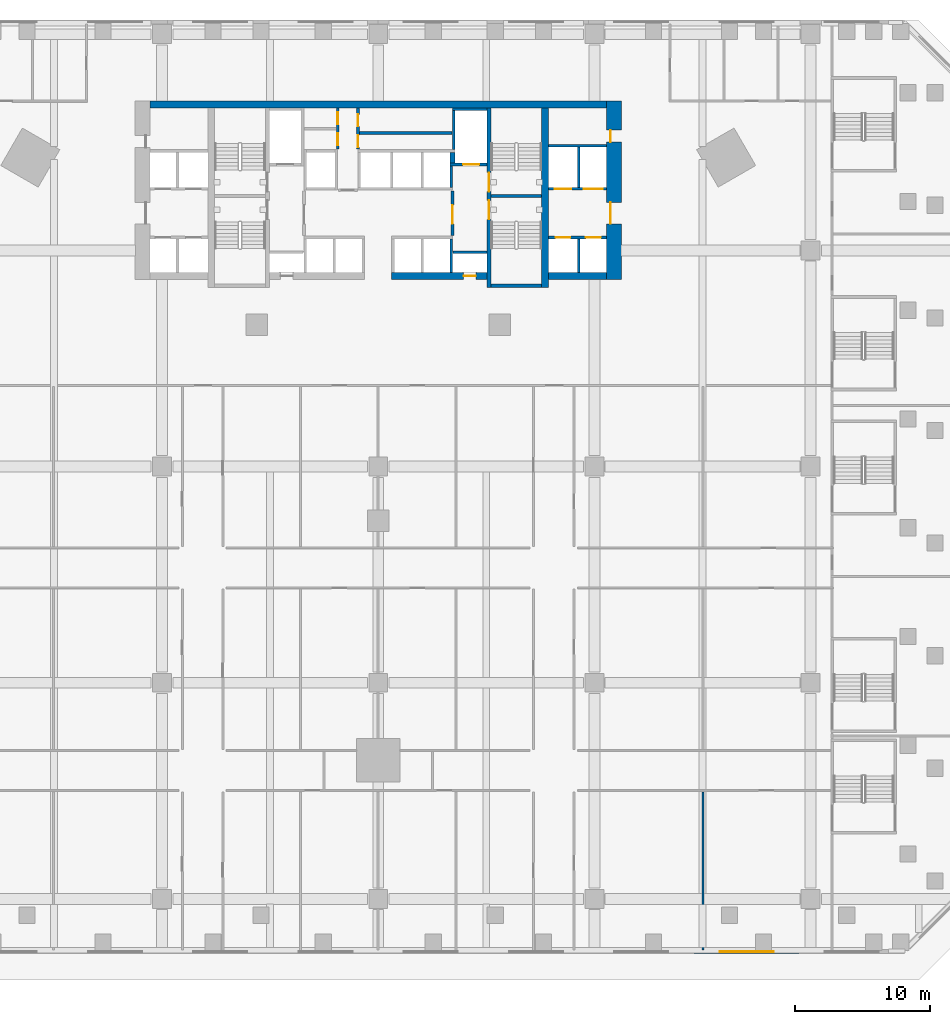
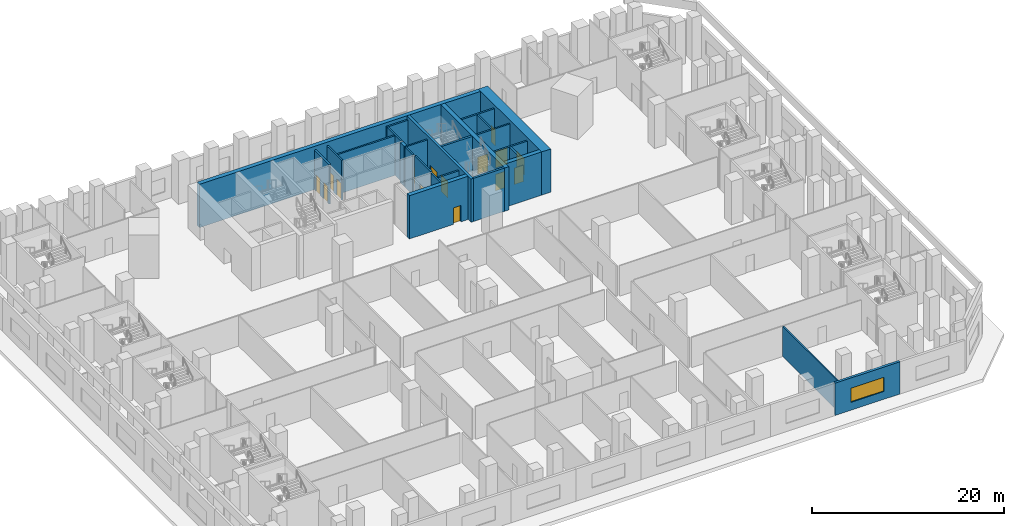
# One storey, part 8 of 22: 26 walls, 15 doors, 1 window, 16 openings.
"""IFC4 building model written with IfcOpenShell, lengths in metres."""

import ifcopenshell
import ifcopenshell.guid

model = None  # the IFC model being written
_history = None  # IfcOwnerHistory: only IFC2X3 demands one
_inside = {}  # id of a spatial element -> (the spatial element, [elements in it])
_under = {}  # id of a project, library or spatial element -> (it, [spatial elements below it])
_declared = {}  # id of a project -> (the project, [libraries it declares])
_typed = {}  # id of a type object -> (the type object, [elements of that type])
_made_of = {}  # id of a material, layer set ... -> (it, [elements and type objects made of it])


def new_model(schema):
    """Start an empty IFC model of exactly this schema.

    Asked for "IFC4X3", IfcOpenShell would pick the latest addendum, in which some entities
    have other attributes; the version numbers below select the first issue.
    IFC2X3 requires an IfcOwnerHistory on every rooted entity: one is made here for all.
    """
    global model, _history
    if schema == "IFC4X3":
        model = ifcopenshell.file(schema_version=(4, 3, 0, 0))
    else:
        model = ifcopenshell.file(schema=schema)
    _inside.clear()
    _under.clear()
    _declared.clear()
    _typed.clear()
    _made_of.clear()
    _history = None
    if model.schema == "IFC2X3":
        org = make("IfcOrganization", Name="unknown")
        user = make(
            "IfcPersonAndOrganization",
            ThePerson=make("IfcPerson", FamilyName="unknown"),
            TheOrganization=org,
        )
        app = make(
            "IfcApplication",
            ApplicationDeveloper=org,
            Version="unknown",
            ApplicationFullName="unknown",
            ApplicationIdentifier="unknown",
        )
        _history = make(
            "IfcOwnerHistory",
            OwningUser=user,
            OwningApplication=app,
            ChangeAction="ADDED",
            CreationDate=0,
        )
    return model


def make(cls, **values):
    """One entity of the class cls with the attributes given. An attribute that is None is left unset."""
    return model.create_entity(
        cls, **{name: value for name, value in values.items() if value is not None}
    )


def rooted(cls, **values):
    """An entity with a GlobalId (a new one), such as an element, a storey or a relation."""
    return make(cls, GlobalId=ifcopenshell.guid.new(), OwnerHistory=_history, **values)


def si_unit(unit_type, name, prefix=None):
    """IfcSIUnit, for example si_unit("LENGTHUNIT", "METRE", prefix="MILLI")."""
    return make("IfcSIUnit", UnitType=unit_type, Prefix=prefix, Name=name)


def assignment(units):
    """IfcUnitAssignment: the units of a project."""
    return None if units is None else make("IfcUnitAssignment", Units=units)


def point(xyz):
    """IfcCartesianPoint."""
    return None if xyz is None else make("IfcCartesianPoint", Coordinates=xyz)


def direction(xyz):
    """IfcDirection."""
    return None if xyz is None else make("IfcDirection", DirectionRatios=xyz)


def frame(location, z_axis=None, x_axis=None):
    """IfcAxis2Placement3D, a coordinate frame: its origin and axes. An axis left out is left unset."""
    return make(
        "IfcAxis2Placement3D",
        Location=point(location),
        Axis=direction(z_axis),
        RefDirection=direction(x_axis),
    )


def frame_2d(location, x_axis=None):
    """IfcAxis2Placement2D, a coordinate frame in the plane: its origin and x axis."""
    return make(
        "IfcAxis2Placement2D", Location=point(location), RefDirection=direction(x_axis)
    )


def origin():
    """The frame at (0, 0, 0) with its axes left unset."""
    return frame((0.0, 0.0, 0.0))


def place(relative_to, where):
    """IfcLocalPlacement: puts the frame where relative to a parent placement (None: the world)."""
    return make(
        "IfcLocalPlacement", PlacementRelTo=relative_to, RelativePlacement=where
    )


def context(
    kind, dimensions, precision=None, world=None, true_north=None, identifier=None
):
    """IfcGeometricRepresentationContext, for example the 3D "Model" context."""
    return make(
        "IfcGeometricRepresentationContext",
        ContextIdentifier=identifier,
        ContextType=kind,
        CoordinateSpaceDimension=dimensions,
        Precision=precision,
        WorldCoordinateSystem=world,
        TrueNorth=true_north,
    )


def subcontext(parent, identifier, kind, view, scale=None):
    """IfcGeometricRepresentationSubContext, for example "Body" below "Model"."""
    return make(
        "IfcGeometricRepresentationSubContext",
        ContextIdentifier=identifier,
        ContextType=kind,
        ParentContext=parent,
        TargetScale=scale,
        TargetView=view,
    )


def project(units=None, contexts=None):
    """IfcProject with its units and contexts."""
    return rooted(
        "IfcProject",
        Name="project",
        RepresentationContexts=contexts,
        UnitsInContext=assignment(units),
    )


def spatial(cls, under=None, at=None, **own):
    """A site, building, storey or space (cls), placed at a placement, below another one or the project."""
    s = rooted(cls, ObjectPlacement=at, **own)
    if under is not None:
        _under.setdefault(under.id(), (under, []))[1].append(s)
    return s


def profile(cls, at=None, kind="AREA", **sizes):
    """A parametric profile (cls). Its sizes go by their IFC names, for example OverallWidth=200.0."""
    return make(cls, ProfileType=kind, Position=at, **sizes)


def rectangle(**sizes):
    """IfcRectangleProfileDef."""
    return profile("IfcRectangleProfileDef", **sizes)


def extrude(swept, where, along, depth):
    """IfcExtrudedAreaSolid: the profile swept, set in the frame where, extruded along a direction by depth."""
    return make(
        "IfcExtrudedAreaSolid",
        SweptArea=swept,
        Position=where,
        ExtrudedDirection=direction(along),
        Depth=depth,
    )


def shape(context_of_items, identifier, shape_type, items):
    """IfcShapeRepresentation: the items that make up one representation, for example the "Body"."""
    return make(
        "IfcShapeRepresentation",
        ContextOfItems=context_of_items,
        RepresentationIdentifier=identifier,
        RepresentationType=shape_type,
        Items=items,
    )


def material(Name=None, Category=None):
    """IfcMaterial."""
    return make("IfcMaterial", Name=Name, Category=Category)


def layer(
    of_material, thickness, ventilated=None, Name=None, Category=None, Priority=None
):
    """IfcMaterialLayer: one layer of a wall or slab, of a material (None: an air gap)."""
    return make(
        "IfcMaterialLayer",
        Material=of_material,
        LayerThickness=thickness,
        IsVentilated=ventilated,
        Name=Name,
        Category=Category,
        Priority=Priority,
    )


def layer_set(layers, Name=None):
    """IfcMaterialLayerSet."""
    return make("IfcMaterialLayerSet", MaterialLayers=layers, LayerSetName=Name)


def made_of(thing, what):
    """Note that an element or type object is made of a material, layer set ...; save() writes the relation."""
    if what is not None:
        _made_of.setdefault(what.id(), (what, []))[1].append(thing)
    return thing


def type_object(cls, material=None, **own):
    """A type object (cls), such as IfcWallType, which elements share."""
    return made_of(rooted(cls, **own), material)


def element(
    cls,
    number,
    at=None,
    inside=None,
    cuts=None,
    type_object=None,
    material=None,
    context=None,
    identifier="Body",
    shape_type=None,
    held_by="IfcProductDefinitionShape",
    body=None,
    shapes=None,
    **own,
):
    """One element of the class cls, such as IfcWall. Its Tag is "e" and its number.

    at: its placement. inside: the storey or other place that contains it. cuts: it is an
    opening in that element (IfcRelVoidsElement). A single representation is given by context,
    identifier, shape_type and body (its items); several are given by shapes. held_by: the class
    of the entity that holds the representations. save() writes the other relations.
    """
    e = rooted(cls, Tag="e%d" % number, ObjectPlacement=at, **own)
    if body is not None:
        shapes = [shape(context, identifier, shape_type, body)]
    if shapes is not None:
        e.Representation = make(held_by, Representations=shapes)
    if inside is not None:
        _inside.setdefault(inside.id(), (inside, []))[1].append(e)
    if cuts is not None:
        rooted(
            "IfcRelVoidsElement", RelatingBuildingElement=cuts, RelatedOpeningElement=e
        )
    if type_object is not None:
        _typed.setdefault(type_object.id(), (type_object, []))[1].append(e)
    return made_of(e, material)


def fill(opening, filler):
    """IfcRelFillsElement: the door or window that sits in an opening."""
    return rooted(
        "IfcRelFillsElement",
        RelatingOpeningElement=opening,
        RelatedBuildingElement=filler,
    )


def aggregate(whole, parts):
    """IfcRelAggregates: a whole, such as a stair, and the parts it consists of."""
    return rooted("IfcRelAggregates", RelatingObject=whole, RelatedObjects=parts)


def save(model, path):
    """Write the relations noted so far, then the file.

    IfcRelAggregates (storeys below a building ...), IfcRelContainedInSpatialStructure (elements
    in a storey), IfcRelDefinesByType, IfcRelAssociatesMaterial and IfcRelDeclares: one each for
    every whole, place, type object, material and project.
    """
    for whole, parts in _under.values():
        aggregate(whole, parts)
    for where, things in _inside.values():
        rooted(
            "IfcRelContainedInSpatialStructure",
            RelatedElements=things,
            RelatingStructure=where,
        )
    for kind, things in _typed.values():
        rooted("IfcRelDefinesByType", RelatedObjects=things, RelatingType=kind)
    for what, things in _made_of.values():
        rooted("IfcRelAssociatesMaterial", RelatedObjects=things, RelatingMaterial=what)
    for by, libraries in _declared.values():
        rooted("IfcRelDeclares", RelatingContext=by, RelatedDefinitions=libraries)
    model.write(path)


model = new_model("IFC4")

# Units and contexts
model_context = context("Model", 3, precision=1e-05, world=origin(), true_north=direction((0.0, 1.0)))
body_context = subcontext(model_context, "Body", "Model", "MODEL_VIEW")
ifc_project = project(units=[si_unit("LENGTHUNIT", "METRE"), si_unit("AREAUNIT", "SQUARE_METRE"), si_unit("VOLUMEUNIT", "CUBIC_METRE"), si_unit("PLANEANGLEUNIT", "RADIAN"), si_unit("MASSUNIT", "GRAM", prefix="KILO")], contexts=[model_context])

# Site, building, storey
site_placement = place(None, origin())
site = spatial("IfcSite", under=ifc_project, at=site_placement, CompositionType="ELEMENT")
building_placement = place(site_placement, origin())
building = spatial("IfcBuilding", under=site, at=building_placement, Name="Calabash Gate Tower", CompositionType="ELEMENT")
storey_placement = place(building_placement, frame((0.0, 0.0, 29.0)))
storey = spatial("IfcBuildingStorey", under=building, at=storey_placement, Name="L03", CompositionType="ELEMENT", Elevation=29.0)

# Wall, openings, doors
ifc_material_1 = material(Name="Concrete C80/95", Category="concrete")
ifc_layer_1 = layer(ifc_material_1, 1.10009765625)
ifc_layer_set_1 = layer_set([ifc_layer_1], Name="Core wall 1100 Concrete C80/95")
wall_type_1 = type_object("IfcWallType", Name="Core wall 1100 Concrete C80/95", PredefinedType="SHEAR", material=ifc_layer_set_1)
wall_1_placement = place(storey_placement, frame((17.449951171875, 5.8525390625, 0.0), z_axis=(0.0, 0.0, 1.0), x_axis=(0.0, 1.0, 0.0)))
wall_1 = element("IfcWall", 1, at=wall_1_placement, inside=storey, type_object=wall_type_1, Name="Core wall Z0-ENDE L03", PredefinedType="SHEAR", context=body_context, shape_type="SweptSolid", body=[
    extrude(rectangle(XDim=13.199951171875, YDim=1.10009765625, at=frame_2d((6.60009765625, 0.0))), origin(), (0.0, 0.0, 1.0), 5.5),
])
opening_1_placement = place(wall_1_placement, frame((4.10009765625, 0.0, 0.0)))
opening_1 = element("IfcOpeningElement", 2, at=opening_1_placement, cuts=wall_1, Name="Opening L03-016", PredefinedType="OPENING", context=body_context, shape_type="SweptSolid", body=[
    extrude(rectangle(XDim=1.60009765625, YDim=2.10009765625, at=frame_2d((0.800048828125, 1.050048828125))), frame((0.0, 0.56005859375, 0.0), z_axis=(0.0, -1.0, 0.0), x_axis=(1.0, 0.0, 0.0)), (0.0, 0.0, 1.0), 1.1201171875),
])
opening_2_placement = place(wall_1_placement, frame((10.14990234375, 0.0, 0.0)))
opening_2 = element("IfcOpeningElement", 3, at=opening_2_placement, cuts=wall_1, Name="Opening L03-017", PredefinedType="OPENING", context=body_context, shape_type="SweptSolid", body=[
    extrude(rectangle(XDim=0.89990234375, YDim=2.10009765625, at=frame_2d((0.449951171875, 1.050048828125))), frame((0.0, 0.56005859375, 0.0), z_axis=(0.0, -1.0, 0.0), x_axis=(1.0, 0.0, 0.0)), (0.0, 0.0, 1.0), 1.1201171875),
])
ifc_material_2 = material(Name="Steel fire door set with fire-resisting glazing", Category="steel")
door_type_1 = type_object("IfcDoorType", Name="Double fire door D08 1600x2100 FD60", OperationType="DOUBLE_DOOR_SINGLE_SWING", PredefinedType="DOOR", material=ifc_material_2)
door_1_placement = place(opening_1_placement, origin())
door_1 = element("IfcDoor", 4, at=door_1_placement, inside=storey, type_object=door_type_1, Name="Low-rise Lift Lobby E door", OperationType="DOUBLE_DOOR_SINGLE_SWING", OverallHeight=2.10009765625, OverallWidth=1.60009765625, PredefinedType="DOOR", context=body_context, shape_type="SweptSolid", body=[
    extrude(rectangle(XDim=1.60009765625, YDim=2.10009765625, at=frame_2d((0.800048828125, 1.050048828125))), frame((0.0, 0.27490234375, 0.0), z_axis=(0.0, -1.0, 0.0), x_axis=(1.0, 0.0, 0.0)), (0.0, 0.0, 1.0), 0.050048828125),
])
fill(opening_1, door_1)
ifc_material_3 = material(Name="Steel fire door set with fire-resisting glazing", Category="steel")
door_type_2 = type_object("IfcDoorType", Name="Fire door D06 900x2100 FD60", OperationType="NOTDEFINED", PredefinedType="DOOR", material=ifc_material_3)
door_2_placement = place(opening_2_placement, origin())
door_2 = element("IfcDoor", 5, at=door_2_placement, inside=storey, type_object=door_type_2, Name="Staff WC door", OperationType="SINGLE_SWING_LEFT", OverallHeight=2.10009765625, OverallWidth=0.89990234375, PredefinedType="DOOR", context=body_context, shape_type="SweptSolid", body=[
    extrude(rectangle(XDim=0.89990234375, YDim=2.10009765625, at=frame_2d((0.449951171875, 1.050048828125))), frame((0.0, 0.27490234375, 0.0), z_axis=(0.0, -1.0, 0.0), x_axis=(1.0, 0.0, 0.0)), (0.0, 0.0, 1.0), 0.050048828125),
])
fill(opening_2, door_2)

# Walls
ifc_material_4 = material(Name="Concrete C80/95", Category="concrete")
ifc_layer_2 = layer(ifc_material_4, 0.25)
ifc_layer_set_2 = layer_set([ifc_layer_2], Name="Core wall 250 Concrete C80/95")
wall_type_2 = type_object("IfcWallType", Name="Core wall 250 Concrete C80/95", PredefinedType="SHEAR", material=ifc_layer_set_2)
for number, where, z_axis, x_axis, name in (
    (6, (8.35009765625, 12.027587890625, 0.0), (0.0, 0.0, 1.0), (1.0, 0.0, 0.0), "Core wall Z0-MIDE L03"),
    (7, (8.35009765625, 5.377685546875, 0.0), (0.0, 0.0, 1.0), (1.0, 0.0, 0.0), "Core wall Z0-SSE L03"),
):
    element("IfcWall", number, at=place(storey_placement, frame(where, z_axis=z_axis, x_axis=x_axis)), inside=storey, type_object=wall_type_2, Name=name, PredefinedType="SHEAR", context=body_context, shape_type="SweptSolid", body=[
        extrude(rectangle(XDim=3.75, YDim=0.25, at=frame_2d((1.875, 0.0))), origin(), (0.0, 0.0, 1.0), 5.5),
    ])

# Wall, openings, doors
ifc_material_5 = material(Name="Concrete C80/95", Category="concrete")
ifc_layer_3 = layer(ifc_material_5, 0.300048828125)
ifc_layer_set_3 = layer_set([ifc_layer_3], Name="Core wall 300 Concrete C80/95")
wall_type_3 = type_object("IfcWallType", Name="Core wall 300 Concrete C80/95", PredefinedType="SHEAR", material=ifc_layer_set_3)
wall_2_placement = place(storey_placement, frame((8.199951171875, 5.252685546875, 0.0), z_axis=(0.0, 0.0, 1.0), x_axis=(0.0, 1.0, 0.0)))
wall_2 = element("IfcWall", 8, at=wall_2_placement, inside=storey, type_object=wall_type_3, Name="Core wall Z0-PARTE L03", PredefinedType="SHEAR", context=body_context, shape_type="SweptSolid", body=[
    extrude(rectangle(XDim=13.2998046875, YDim=0.300048828125, at=frame_2d((6.64990234375, 0.0))), origin(), (0.0, 0.0, 1.0), 5.5),
])
opening_3_placement = place(wall_2_placement, frame((7.10009765625, 0.0, 0.0)))
opening_3 = element("IfcOpeningElement", 9, at=opening_3_placement, cuts=wall_2, Name="Opening L03-003", PredefinedType="OPENING", context=body_context, shape_type="SweptSolid", body=[
    extrude(rectangle(XDim=1.39990234375, YDim=2.10009765625, at=frame_2d((0.699951171875, 1.050048828125))), frame((0.0, 0.159912109375, 0.0), z_axis=(0.0, -1.0, 0.0), x_axis=(1.0, 0.0, 0.0)), (0.0, 0.0, 1.0), 0.320068359375),
])
opening_4_placement = place(wall_2_placement, frame((5.050048828125, 0.0, 0.0)))
opening_4 = element("IfcOpeningElement", 10, at=opening_4_placement, cuts=wall_2, Name="Opening L03-004", PredefinedType="OPENING", context=body_context, shape_type="SweptSolid", body=[
    extrude(rectangle(XDim=1.39990234375, YDim=2.10009765625, at=frame_2d((0.699951171875, 1.050048828125))), frame((0.0, 0.159912109375, 0.0), z_axis=(0.0, -1.0, 0.0), x_axis=(1.0, 0.0, 0.0)), (0.0, 0.0, 1.0), 0.320068359375),
])
ifc_material_6 = material(Name="Steel fire door set with fire-resisting glazing", Category="steel")
door_type_3 = type_object("IfcDoorType", Name="Fire door D05 1400x2100 FD90", OperationType="NOTDEFINED", PredefinedType="DOOR", material=ifc_material_6)
door_3_placement = place(opening_3_placement, origin())
door_3 = element("IfcDoor", 11, at=door_3_placement, inside=storey, type_object=door_type_3, Name="Exit stair door ST3", OperationType="SINGLE_SWING_RIGHT", OverallHeight=2.10009765625, OverallWidth=1.39990234375, PredefinedType="DOOR", context=body_context, shape_type="SweptSolid", body=[
    extrude(rectangle(XDim=1.39990234375, YDim=2.10009765625, at=frame_2d((0.699951171875, 1.050048828125))), frame((0.0, 0.02490234375, 0.0), z_axis=(0.0, -1.0, 0.0), x_axis=(1.0, 0.0, 0.0)), (0.0, 0.0, 1.0), 0.050048828125),
])
fill(opening_3, door_3)
door_4_placement = place(opening_4_placement, origin())
door_4 = element("IfcDoor", 12, at=door_4_placement, inside=storey, type_object=door_type_3, Name="Exit stair door ST4", OperationType="SINGLE_SWING_LEFT", OverallHeight=2.10009765625, OverallWidth=1.39990234375, PredefinedType="DOOR", context=body_context, shape_type="SweptSolid", body=[
    extrude(rectangle(XDim=1.39990234375, YDim=2.10009765625, at=frame_2d((0.699951171875, 1.050048828125))), frame((0.0, 0.02490234375, 0.0), z_axis=(0.0, -1.0, 0.0), x_axis=(1.0, 0.0, 0.0)), (0.0, 0.0, 1.0), 0.050048828125),
])
fill(opening_4, door_4)

# Walls
ifc_material_7 = material(Name="Concrete C80/95", Category="concrete")
ifc_layer_4 = layer(ifc_material_7, 0.5)
ifc_layer_set_4 = layer_set([ifc_layer_4], Name="Core wall 500 Concrete C80/95")
wall_type_4 = type_object("IfcWallType", Name="Core wall 500 Concrete C80/95", PredefinedType="SHEAR", material=ifc_layer_set_4)
wall_3_placement = place(storey_placement, frame((-16.89990234375, 18.802490234375, 0.0), z_axis=(0.0, 0.0, 1.0), x_axis=(1.0, 0.0, 0.0)))
element("IfcWall", 13, at=wall_3_placement, inside=storey, type_object=wall_type_4, Name="Core wall Z0-N L03", PredefinedType="SHEAR", context=body_context, shape_type="SweptSolid", body=[
    extrude(rectangle(XDim=33.7998046875, YDim=0.5, at=frame_2d((16.89990234375, 0.0))), origin(), (0.0, 0.0, 1.0), 5.5),
])
wall_4_placement = place(storey_placement, frame((12.35009765625, 5.252685546875, 0.0), z_axis=(0.0, 0.0, 1.0), x_axis=(0.0, 1.0, 0.0)))
element("IfcWall", 14, at=wall_4_placement, inside=storey, type_object=wall_type_4, Name="Core wall Z0-COLE L03", PredefinedType="SHEAR", context=body_context, shape_type="SweptSolid", body=[
    extrude(rectangle(XDim=13.2998046875, YDim=0.5, at=frame_2d((6.64990234375, 0.0))), origin(), (0.0, 0.0, 1.0), 5.5),
])

# Wall, opening, door
wall_5_placement = place(storey_placement, frame((1.0, 6.1025390625, 0.0), z_axis=(0.0, 0.0, 1.0), x_axis=(1.0, 0.0, 0.0)))
wall_5 = element("IfcWall", 15, at=wall_5_placement, inside=storey, type_object=wall_type_4, Name="Core wall Z0-SB L03", PredefinedType="SHEAR", context=body_context, shape_type="SweptSolid", body=[
    extrude(rectangle(XDim=7.050048828125, YDim=0.5, at=frame_2d((3.52490234375, 0.0))), origin(), (0.0, 0.0, 1.0), 5.5),
])
opening_5_placement = place(wall_5_placement, frame((5.324951171875, 0.0, 0.0)))
opening_5 = element("IfcOpeningElement", 16, at=opening_5_placement, cuts=wall_5, Name="Opening L03-013", PredefinedType="OPENING", context=body_context, shape_type="SweptSolid", body=[
    extrude(rectangle(XDim=0.89990234375, YDim=2.10009765625, at=frame_2d((0.449951171875, 1.050048828125))), frame((0.0, 0.260009765625, 0.0), z_axis=(0.0, -1.0, 0.0), x_axis=(1.0, 0.0, 0.0)), (0.0, 0.0, 1.0), 0.52001953125),
])
ifc_material_8 = material(Name="Steel fire door set with fire-resisting glazing", Category="steel")
door_type_4 = type_object("IfcDoorType", Name="Fire door D07 900x2100 FD90", OperationType="NOTDEFINED", PredefinedType="DOOR", material=ifc_material_8)
door_5_placement = place(opening_5_placement, origin())
door_5 = element("IfcDoor", 17, at=door_5_placement, inside=storey, type_object=door_type_4, Name="Mechanical Riser E door", OperationType="SINGLE_SWING_RIGHT", OverallHeight=2.10009765625, OverallWidth=0.89990234375, PredefinedType="DOOR", context=body_context, shape_type="SweptSolid", body=[
    extrude(rectangle(XDim=0.89990234375, YDim=2.10009765625, at=frame_2d((0.449951171875, 1.050048828125))), frame((0.0, 0.02490234375, 0.0), z_axis=(0.0, -1.0, 0.0), x_axis=(1.0, 0.0, 0.0)), (0.0, 0.0, 1.0), 0.050048828125),
])
fill(opening_5, door_5)

# Walls
wall_6_placement = place(storey_placement, frame((12.60009765625, 6.1025390625, 0.0), z_axis=(0.0, 0.0, 1.0), x_axis=(1.0, 0.0, 0.0)))
element("IfcWall", 18, at=wall_6_placement, inside=storey, type_object=wall_type_4, Name="Core wall Z0-SE L03", PredefinedType="SHEAR", context=body_context, shape_type="SweptSolid", body=[
    extrude(rectangle(XDim=4.2998046875, YDim=0.5, at=frame_2d((2.14990234375, 0.0))), origin(), (0.0, 0.0, 1.0), 5.5),
])
ifc_material_9 = material(Name="Gypsum board on steel studs, mineral wool", Category="steel")
ifc_layer_5 = layer(ifc_material_9, 0.14990234375)
ifc_layer_set_5 = layer_set([ifc_layer_5], Name="Partition 150 gypsum board")
wall_type_5 = type_object("IfcWallType", Name="Partition 150 gypsum board", PredefinedType="PARTITIONING", material=ifc_layer_set_5)
wall_7_placement = place(storey_placement, frame((24.050048828125, -43.77001953125, 0.0), z_axis=(0.0, 0.0, 1.0), x_axis=(0.0, 1.0, 0.0)))
element("IfcWall", 19, at=wall_7_placement, inside=storey, type_object=wall_type_5, Name="Partition", PredefinedType="PARTITIONING", context=body_context, shape_type="SweptSolid", body=[
    extrude(rectangle(XDim=11.695068359375, YDim=0.14990234375, at=frame_2d((5.84765625, 0.0))), origin(), (0.0, 0.0, 1.0), 3.85009765625),
])

# Wall, opening, window
ifc_material_10 = material(Name="Terracotta brick masonry, exposed face", Category="masonry")
ifc_layer_6 = layer(ifc_material_10, 0.300048828125)
ifc_layer_set_6 = layer_set([ifc_layer_6], Name="Podium brick wall 300")
wall_type_6 = type_object("IfcWallType", Name="Podium brick wall 300", PredefinedType="SOLIDWALL", material=ifc_layer_set_6)
wall_8_placement = place(storey_placement, frame((23.3701171875, -43.89990234375, 0.0), z_axis=(0.0, 0.0, 1.0), x_axis=(1.0, 0.0, 0.0)))
wall_8 = element("IfcWall", 20, at=wall_8_placement, inside=storey, type_object=wall_type_6, Name="Podium brick wall L03 0.0.8", PredefinedType="SOLIDWALL", context=body_context, shape_type="SweptSolid", body=[
    extrude(rectangle(XDim=7.789794921875, YDim=0.300048828125, at=frame_2d((3.89501953125, 0.0))), origin(), (0.0, 0.0, 1.0), 4.10009765625),
])
opening_6_placement = place(wall_8_placement, frame((1.89501953125, 0.0, 1.0)))
opening_6 = element("IfcOpeningElement", 21, at=opening_6_placement, cuts=wall_8, Name="Opening WM1", PredefinedType="OPENING", context=body_context, shape_type="SweptSolid", body=[
    extrude(rectangle(XDim=4.0, YDim=1.800048828125, at=frame_2d((2.0, 0.89990234375))), frame((0.0, 0.159912109375, 0.0), z_axis=(0.0, -1.0, 0.0), x_axis=(1.0, 0.0, 0.0)), (0.0, 0.0, 1.0), 0.320068359375),
])
ifc_material_11 = material(Name="Anodised aluminium frame, bronze finish, impact-rated laminated clear glazing", Category="aluminium")
window_type = type_object("IfcWindowType", Name="Window WM1 4000x1800", PartitioningType="TRIPLE_PANEL_VERTICAL", PredefinedType="WINDOW", material=ifc_material_11)
window_placement = place(opening_6_placement, origin())
window = element("IfcWindow", 22, at=window_placement, inside=storey, type_object=window_type, Name="Meeting room window L03 0.0.8", OverallHeight=1.800048828125, OverallWidth=4.0, PartitioningType="SINGLE_PANEL", PredefinedType="WINDOW", context=body_context, shape_type="SweptSolid", body=[
    extrude(rectangle(XDim=4.0, YDim=1.800048828125, at=frame_2d((2.0, 0.89990234375))), frame((0.0, 0.030029296875, 0.0), z_axis=(0.0, -1.0, 0.0), x_axis=(1.0, 0.0, 0.0)), (0.0, 0.0, 1.0), 0.06005859375),
])
fill(opening_6, window)

# Walls
ifc_material_12 = material(Name="Concrete C40/50", Category="concrete")
ifc_layer_7 = layer(ifc_material_12, 0.199951171875)
ifc_layer_set_7 = layer_set([ifc_layer_7], Name="Shaft wall 200 Concrete C40/50")
wall_type_7 = type_object("IfcWallType", Name="Shaft wall 200 Concrete C40/50", PredefinedType="SOLIDWALL", material=ifc_layer_set_7)
for number, where, z_axis, x_axis, name in (
    (23, (5.39990234375, 6.3525390625, 0.0), (0.0, 0.0, 1.0), (0.0, 1.0, 0.0), "Shaft wall"),
    (24, (14.85009765625, 6.3525390625, 0.0), (0.0, 0.0, 1.0), (0.0, 1.0, 0.0), "Shaft wall"),
    (25, (5.550048828125, 7.8525390625, 0.0), (0.0, 0.0, 1.0), (1.0, 0.0, 0.0), "Shaft wall"),
):
    element("IfcWall", number, at=place(storey_placement, frame(where, z_axis=z_axis, x_axis=x_axis)), inside=storey, type_object=wall_type_7, Name=name, PredefinedType="SOLIDWALL", context=body_context, shape_type="SweptSolid", body=[
        extrude(rectangle(XDim=2.5, YDim=0.199951171875, at=frame_2d((1.25, 0.0))), origin(), (0.0, 0.0, 1.0), 5.050048828125),
    ])

# Wall, openings, doors
wall_9_placement = place(storey_placement, frame((12.60009765625, 8.95263671875, 0.0), z_axis=(0.0, 0.0, 1.0), x_axis=(1.0, 0.0, 0.0)))
wall_9 = element("IfcWall", 26, at=wall_9_placement, inside=storey, type_object=wall_type_7, Name="Shaft wall", PredefinedType="SOLIDWALL", context=body_context, shape_type="SweptSolid", body=[
    extrude(rectangle(XDim=4.2998046875, YDim=0.199951171875, at=frame_2d((2.14990234375, 0.0))), origin(), (0.0, 0.0, 1.0), 5.050048828125),
])
opening_7_placement = place(wall_9_placement, frame((0.52490234375, 0.0, 0.0)))
opening_7 = element("IfcOpeningElement", 27, at=opening_7_placement, cuts=wall_9, Name="Opening LD-LR5", PredefinedType="OPENING", context=body_context, shape_type="SweptSolid", body=[
    extrude(rectangle(XDim=1.10009765625, YDim=2.10009765625, at=frame_2d((0.550048828125, 1.050048828125))), frame((0.0, 0.10986328125, 0.0), z_axis=(0.0, -1.0, 0.0), x_axis=(1.0, 0.0, 0.0)), (0.0, 0.0, 1.0), 0.219970703125),
])
opening_8_placement = place(wall_9_placement, frame((2.77490234375, 0.0, 0.0)))
opening_8 = element("IfcOpeningElement", 28, at=opening_8_placement, cuts=wall_9, Name="Opening LD-LR6", PredefinedType="OPENING", context=body_context, shape_type="SweptSolid", body=[
    extrude(rectangle(XDim=1.10009765625, YDim=2.10009765625, at=frame_2d((0.550048828125, 1.050048828125))), frame((0.0, 0.10986328125, 0.0), z_axis=(0.0, -1.0, 0.0), x_axis=(1.0, 0.0, 0.0)), (0.0, 0.0, 1.0), 0.219970703125),
])
ifc_material_13 = material(Name="Stainless steel sliding door leaves", Category="steel")
door_type_5 = type_object("IfcDoorType", Name="Lift landing door LS1 1100x2100 FD90", OperationType="DOUBLE_DOOR_SLIDING", PredefinedType="DOOR", material=ifc_material_13)
door_6_placement = place(opening_7_placement, origin())
door_6 = element("IfcDoor", 29, at=door_6_placement, inside=storey, type_object=door_type_5, Name="Lift landing door LR5", OperationType="DOUBLE_DOOR_SLIDING", OverallHeight=2.10009765625, OverallWidth=1.10009765625, PredefinedType="DOOR", context=body_context, shape_type="SweptSolid", body=[
    extrude(rectangle(XDim=1.10009765625, YDim=2.10009765625, at=frame_2d((0.550048828125, 1.050048828125))), frame((0.0, 0.02490234375, 0.0), z_axis=(0.0, -1.0, 0.0), x_axis=(1.0, 0.0, 0.0)), (0.0, 0.0, 1.0), 0.050048828125),
])
fill(opening_7, door_6)
door_7_placement = place(opening_8_placement, origin())
door_7 = element("IfcDoor", 30, at=door_7_placement, inside=storey, type_object=door_type_5, Name="Lift landing door LR6", OperationType="DOUBLE_DOOR_SLIDING", OverallHeight=2.10009765625, OverallWidth=1.10009765625, PredefinedType="DOOR", context=body_context, shape_type="SweptSolid", body=[
    extrude(rectangle(XDim=1.10009765625, YDim=2.10009765625, at=frame_2d((0.550048828125, 1.050048828125))), frame((0.0, 0.02490234375, 0.0), z_axis=(0.0, -1.0, 0.0), x_axis=(1.0, 0.0, 0.0)), (0.0, 0.0, 1.0), 0.050048828125),
])
fill(opening_8, door_7)

# Wall, opening, door
wall_10_placement = place(storey_placement, frame((5.5, 9.1025390625, 0.0), z_axis=(0.0, 0.0, 1.0), x_axis=(0.0, 1.0, 0.0)))
wall_10 = element("IfcWall", 31, at=wall_10_placement, inside=storey, type_object=wall_type_7, Name="Shaft wall", PredefinedType="SOLIDWALL", context=body_context, shape_type="SweptSolid", body=[
    extrude(rectangle(XDim=3.300048828125, YDim=0.199951171875, at=frame_2d((1.64990234375, 0.0))), origin(), (0.0, 0.0, 1.0), 5.050048828125),
])
opening_9_placement = place(wall_10_placement, frame((0.85009765625, 0.0, 0.0)))
opening_9 = element("IfcOpeningElement", 32, at=opening_9_placement, cuts=wall_10, Name="Opening L03-007", PredefinedType="OPENING", context=body_context, shape_type="SweptSolid", body=[
    extrude(rectangle(XDim=1.39990234375, YDim=2.10009765625, at=frame_2d((0.699951171875, 1.050048828125))), frame((0.0, 0.10986328125, 0.0), z_axis=(0.0, -1.0, 0.0), x_axis=(1.0, 0.0, 0.0)), (0.0, 0.0, 1.0), 0.219970703125),
])
door_8_placement = place(opening_9_placement, origin())
door_8 = element("IfcDoor", 33, at=door_8_placement, inside=storey, type_object=door_type_3, Name="Firefighting Lobby E door", OperationType="SINGLE_SWING_LEFT", OverallHeight=2.10009765625, OverallWidth=1.39990234375, PredefinedType="DOOR", context=body_context, shape_type="SweptSolid", body=[
    extrude(rectangle(XDim=1.39990234375, YDim=2.10009765625, at=frame_2d((0.699951171875, 1.050048828125))), frame((0.0, 0.02490234375, 0.0), z_axis=(0.0, -1.0, 0.0), x_axis=(1.0, 0.0, 0.0)), (0.0, 0.0, 1.0), 0.050048828125),
])
fill(opening_9, door_8)

# Wall, openings, doors
wall_11_placement = place(storey_placement, frame((12.60009765625, 12.552490234375, 0.0), z_axis=(0.0, 0.0, 1.0), x_axis=(1.0, 0.0, 0.0)))
wall_11 = element("IfcWall", 34, at=wall_11_placement, inside=storey, type_object=wall_type_7, Name="Shaft wall", PredefinedType="SOLIDWALL", context=body_context, shape_type="SweptSolid", body=[
    extrude(rectangle(XDim=4.2998046875, YDim=0.199951171875, at=frame_2d((2.14990234375, 0.0))), origin(), (0.0, 0.0, 1.0), 5.050048828125),
])
opening_10_placement = place(wall_11_placement, frame((0.47509765625, 0.0, 0.0)))
opening_10 = element("IfcOpeningElement", 35, at=opening_10_placement, cuts=wall_11, Name="Opening LD-SL1", PredefinedType="OPENING", context=body_context, shape_type="SweptSolid", body=[
    extrude(rectangle(XDim=1.199951171875, YDim=2.10009765625, at=frame_2d((0.60009765625, 1.050048828125))), frame((0.0, 0.10986328125, 0.0), z_axis=(0.0, -1.0, 0.0), x_axis=(1.0, 0.0, 0.0)), (0.0, 0.0, 1.0), 0.219970703125),
])
opening_11_placement = place(wall_11_placement, frame((2.625, 0.0, 0.0)))
opening_11 = element("IfcOpeningElement", 36, at=opening_11_placement, cuts=wall_11, Name="Opening LD-GL1", PredefinedType="OPENING", context=body_context, shape_type="SweptSolid", body=[
    extrude(rectangle(XDim=1.39990234375, YDim=2.10009765625, at=frame_2d((0.699951171875, 1.050048828125))), frame((0.0, 0.10986328125, 0.0), z_axis=(0.0, -1.0, 0.0), x_axis=(1.0, 0.0, 0.0)), (0.0, 0.0, 1.0), 0.219970703125),
])
ifc_material_14 = material(Name="Stainless steel sliding door leaves", Category="steel")
door_type_6 = type_object("IfcDoorType", Name="Lift landing door LS3 1200x2100 FD90", OperationType="DOUBLE_DOOR_SLIDING", PredefinedType="DOOR", material=ifc_material_14)
door_9_placement = place(opening_10_placement, origin())
door_9 = element("IfcDoor", 37, at=door_9_placement, inside=storey, type_object=door_type_6, Name="Lift landing door SL1", OperationType="DOUBLE_DOOR_SLIDING", OverallHeight=2.10009765625, OverallWidth=1.199951171875, PredefinedType="DOOR", context=body_context, shape_type="SweptSolid", body=[
    extrude(rectangle(XDim=1.199951171875, YDim=2.10009765625, at=frame_2d((0.60009765625, 1.050048828125))), frame((0.0, 0.02490234375, 0.0), z_axis=(0.0, -1.0, 0.0), x_axis=(1.0, 0.0, 0.0)), (0.0, 0.0, 1.0), 0.050048828125),
])
fill(opening_10, door_9)
ifc_material_15 = material(Name="Stainless steel sliding door leaves", Category="steel")
door_type_7 = type_object("IfcDoorType", Name="Lift landing door LS4 1400x2100 FD90", OperationType="DOUBLE_DOOR_SLIDING", PredefinedType="DOOR", material=ifc_material_15)
door_10_placement = place(opening_11_placement, origin())
door_10 = element("IfcDoor", 38, at=door_10_placement, inside=storey, type_object=door_type_7, Name="Lift landing door GL1", OperationType="DOUBLE_DOOR_SLIDING", OverallHeight=2.10009765625, OverallWidth=1.39990234375, PredefinedType="DOOR", context=body_context, shape_type="SweptSolid", body=[
    extrude(rectangle(XDim=1.39990234375, YDim=2.10009765625, at=frame_2d((0.699951171875, 1.050048828125))), frame((0.0, 0.02490234375, 0.0), z_axis=(0.0, -1.0, 0.0), x_axis=(1.0, 0.0, 0.0)), (0.0, 0.0, 1.0), 0.050048828125),
])
fill(opening_11, door_10)

# Walls
wall_12_placement = place(storey_placement, frame((5.39990234375, 12.652587890625, 0.0), z_axis=(0.0, 0.0, 1.0), x_axis=(0.0, 1.0, 0.0)))
element("IfcWall", 39, at=wall_12_placement, inside=storey, type_object=wall_type_7, Name="Shaft wall", PredefinedType="SOLIDWALL", context=body_context, shape_type="SweptSolid", body=[
    extrude(rectangle(XDim=1.60009765625, YDim=0.199951171875, at=frame_2d((0.800048828125, 0.0))), origin(), (0.0, 0.0, 1.0), 5.050048828125),
])
wall_13_placement = place(storey_placement, frame((14.85009765625, 12.652587890625, 0.0), z_axis=(0.0, 0.0, 1.0), x_axis=(0.0, 1.0, 0.0)))
element("IfcWall", 40, at=wall_13_placement, inside=storey, type_object=wall_type_7, Name="Shaft wall", PredefinedType="SOLIDWALL", context=body_context, shape_type="SweptSolid", body=[
    extrude(rectangle(XDim=3.0, YDim=0.199951171875, at=frame_2d((1.5, 0.0))), origin(), (0.0, 0.0, 1.0), 5.050048828125),
])

# Wall, opening, door
wall_14_placement = place(storey_placement, frame((5.300048828125, 14.3525390625, 0.0), z_axis=(0.0, 0.0, 1.0), x_axis=(1.0, 0.0, 0.0)))
wall_14 = element("IfcWall", 41, at=wall_14_placement, inside=storey, type_object=wall_type_7, Name="Shaft wall", PredefinedType="SOLIDWALL", context=body_context, shape_type="SweptSolid", body=[
    extrude(rectangle(XDim=2.75, YDim=0.199951171875, at=frame_2d((1.375, 0.0))), origin(), (0.0, 0.0, 1.0), 5.050048828125),
])
opening_12_placement = place(wall_14_placement, frame((0.97509765625, 0.0, 0.0)))
opening_12 = element("IfcOpeningElement", 42, at=opening_12_placement, cuts=wall_14, Name="Opening LD-FF2", PredefinedType="OPENING", context=body_context, shape_type="SweptSolid", body=[
    extrude(rectangle(XDim=1.199951171875, YDim=2.10009765625, at=frame_2d((0.60009765625, 1.050048828125))), frame((0.0, 0.10986328125, 0.0), z_axis=(0.0, -1.0, 0.0), x_axis=(1.0, 0.0, 0.0)), (0.0, 0.0, 1.0), 0.219970703125),
])
door_11_placement = place(opening_12_placement, origin())
door_11 = element("IfcDoor", 43, at=door_11_placement, inside=storey, type_object=door_type_6, Name="Lift landing door FF2", OperationType="DOUBLE_DOOR_SLIDING", OverallHeight=2.10009765625, OverallWidth=1.199951171875, PredefinedType="DOOR", context=body_context, shape_type="SweptSolid", body=[
    extrude(rectangle(XDim=1.199951171875, YDim=2.10009765625, at=frame_2d((0.60009765625, 1.050048828125))), frame((0.0, 0.02490234375, 0.0), z_axis=(0.0, -1.0, 0.0), x_axis=(1.0, 0.0, 0.0)), (0.0, 0.0, 1.0), 0.050048828125),
])
fill(opening_12, door_11)

# Walls
wall_15_placement = place(storey_placement, frame((5.5, 14.45263671875, 0.0), z_axis=(0.0, 0.0, 1.0), x_axis=(0.0, 1.0, 0.0)))
element("IfcWall", 44, at=wall_15_placement, inside=storey, type_object=wall_type_7, Name="Shaft wall", PredefinedType="SOLIDWALL", context=body_context, shape_type="SweptSolid", body=[
    extrude(rectangle(XDim=0.800048828125, YDim=0.39990234375, at=frame_2d((0.39990234375, 0.0))), origin(), (0.0, 0.0, 1.0), 5.050048828125),
])
wall_16_placement = place(storey_placement, frame((5.60009765625, 15.45263671875, 0.0), z_axis=(0.0, 0.0, 1.0), x_axis=(0.0, 1.0, 0.0)))
element("IfcWall", 45, at=wall_16_placement, inside=storey, type_object=wall_type_7, Name="Shaft wall", PredefinedType="SOLIDWALL", context=body_context, shape_type="SweptSolid", body=[
    extrude(rectangle(XDim=2.89990234375, YDim=0.199951171875, at=frame_2d((1.449951171875, 0.0))), origin(), (0.0, 0.0, 1.0), 5.050048828125),
])

# Wall, openings, doors
wall_17_placement = place(storey_placement, frame((-3.0, 15.502685546875, 0.0), z_axis=(0.0, 0.0, 1.0), x_axis=(0.0, 1.0, 0.0)))
wall_17 = element("IfcWall", 46, at=wall_17_placement, inside=storey, type_object=wall_type_7, Name="Shaft wall", PredefinedType="SOLIDWALL", context=body_context, shape_type="SweptSolid", body=[
    extrude(rectangle(XDim=3.0498046875, YDim=0.199951171875, at=frame_2d((1.52490234375, 0.0))), origin(), (0.0, 0.0, 1.0), 5.050048828125),
])
opening_13_placement = place(wall_17_placement, frame((0.27490234375, 0.0, 0.0)))
opening_13 = element("IfcOpeningElement", 47, at=opening_13_placement, cuts=wall_17, Name="Opening L03-008", PredefinedType="OPENING", context=body_context, shape_type="SweptSolid", body=[
    extrude(rectangle(XDim=0.89990234375, YDim=2.10009765625, at=frame_2d((0.449951171875, 1.050048828125))), frame((0.0, 0.10986328125, 0.0), z_axis=(0.0, -1.0, 0.0), x_axis=(1.0, 0.0, 0.0)), (0.0, 0.0, 1.0), 0.219970703125),
])
opening_14_placement = place(wall_17_placement, frame((1.824951171875, 0.0, 0.0)))
opening_14 = element("IfcOpeningElement", 48, at=opening_14_placement, cuts=wall_17, Name="Opening L03-009", PredefinedType="OPENING", context=body_context, shape_type="SweptSolid", body=[
    extrude(rectangle(XDim=0.89990234375, YDim=2.10009765625, at=frame_2d((0.449951171875, 1.050048828125))), frame((0.0, 0.10986328125, 0.0), z_axis=(0.0, -1.0, 0.0), x_axis=(1.0, 0.0, 0.0)), (0.0, 0.0, 1.0), 0.219970703125),
])
door_12_placement = place(opening_13_placement, origin())
door_12 = element("IfcDoor", 49, at=door_12_placement, inside=storey, type_object=door_type_2, Name="Accessible WC door", OperationType="SINGLE_SWING_LEFT", OverallHeight=2.10009765625, OverallWidth=0.89990234375, PredefinedType="DOOR", context=body_context, shape_type="SweptSolid", body=[
    extrude(rectangle(XDim=0.89990234375, YDim=2.10009765625, at=frame_2d((0.449951171875, 1.050048828125))), frame((0.0, 0.02490234375, 0.0), z_axis=(0.0, -1.0, 0.0), x_axis=(1.0, 0.0, 0.0)), (0.0, 0.0, 1.0), 0.050048828125),
])
fill(opening_13, door_12)
door_13_placement = place(opening_14_placement, origin())
door_13 = element("IfcDoor", 50, at=door_13_placement, inside=storey, type_object=door_type_2, Name="Cleaner's Store door", OperationType="SINGLE_SWING_LEFT", OverallHeight=2.10009765625, OverallWidth=0.89990234375, PredefinedType="DOOR", context=body_context, shape_type="SweptSolid", body=[
    extrude(rectangle(XDim=0.89990234375, YDim=2.10009765625, at=frame_2d((0.449951171875, 1.050048828125))), frame((0.0, 0.02490234375, 0.0), z_axis=(0.0, -1.0, 0.0), x_axis=(1.0, 0.0, 0.0)), (0.0, 0.0, 1.0), 0.050048828125),
])
fill(opening_14, door_13)

wall_18_placement = place(storey_placement, frame((-1.5, 15.502685546875, 0.0), z_axis=(0.0, 0.0, 1.0), x_axis=(0.0, 1.0, 0.0)))
wall_18 = element("IfcWall", 51, at=wall_18_placement, inside=storey, type_object=wall_type_7, Name="Shaft wall", PredefinedType="SOLIDWALL", context=body_context, shape_type="SweptSolid", body=[
    extrude(rectangle(XDim=3.0498046875, YDim=0.199951171875, at=frame_2d((1.52490234375, 0.0))), origin(), (0.0, 0.0, 1.0), 5.050048828125),
])
opening_15_placement = place(wall_18_placement, frame((0.1201171875, 0.0, 0.0)))
opening_15 = element("IfcOpeningElement", 52, at=opening_15_placement, cuts=wall_18, Name="Opening L03-010", PredefinedType="OPENING", context=body_context, shape_type="SweptSolid", body=[
    extrude(rectangle(XDim=0.89990234375, YDim=2.10009765625, at=frame_2d((0.449951171875, 1.050048828125))), frame((0.0, 0.10986328125, 0.0), z_axis=(0.0, -1.0, 0.0), x_axis=(1.0, 0.0, 0.0)), (0.0, 0.0, 1.0), 0.219970703125),
])
opening_16_placement = place(wall_18_placement, frame((1.669921875, 0.0, 0.0)))
opening_16 = element("IfcOpeningElement", 53, at=opening_16_placement, cuts=wall_18, Name="Opening L03-011", PredefinedType="OPENING", context=body_context, shape_type="SweptSolid", body=[
    extrude(rectangle(XDim=0.89990234375, YDim=2.10009765625, at=frame_2d((0.449951171875, 1.050048828125))), frame((0.0, 0.10986328125, 0.0), z_axis=(0.0, -1.0, 0.0), x_axis=(1.0, 0.0, 0.0)), (0.0, 0.0, 1.0), 0.219970703125),
])
door_14_placement = place(opening_15_placement, origin())
door_14 = element("IfcDoor", 54, at=door_14_placement, inside=storey, type_object=door_type_2, Name="Comms Room door", OperationType="SINGLE_SWING_LEFT", OverallHeight=2.10009765625, OverallWidth=0.89990234375, PredefinedType="DOOR", context=body_context, shape_type="SweptSolid", body=[
    extrude(rectangle(XDim=0.89990234375, YDim=2.10009765625, at=frame_2d((0.449951171875, 1.050048828125))), frame((0.0, 0.02490234375, 0.0), z_axis=(0.0, -1.0, 0.0), x_axis=(1.0, 0.0, 0.0)), (0.0, 0.0, 1.0), 0.050048828125),
])
fill(opening_15, door_14)
door_15_placement = place(opening_16_placement, origin())
door_15 = element("IfcDoor", 55, at=door_15_placement, inside=storey, type_object=door_type_2, Name="Staff WC door", OperationType="SINGLE_SWING_LEFT", OverallHeight=2.10009765625, OverallWidth=0.89990234375, PredefinedType="DOOR", context=body_context, shape_type="SweptSolid", body=[
    extrude(rectangle(XDim=0.89990234375, YDim=2.10009765625, at=frame_2d((0.449951171875, 1.050048828125))), frame((0.0, 0.02490234375, 0.0), z_axis=(0.0, -1.0, 0.0), x_axis=(1.0, 0.0, 0.0)), (0.0, 0.0, 1.0), 0.050048828125),
])
fill(opening_16, door_15)

# Walls
wall_19_placement = place(storey_placement, frame((12.60009765625, 15.752685546875, 0.0), z_axis=(0.0, 0.0, 1.0), x_axis=(1.0, 0.0, 0.0)))
element("IfcWall", 56, at=wall_19_placement, inside=storey, type_object=wall_type_7, Name="Shaft wall", PredefinedType="SOLIDWALL", context=body_context, shape_type="SweptSolid", body=[
    extrude(rectangle(XDim=4.2998046875, YDim=0.199951171875, at=frame_2d((2.14990234375, 0.0))), origin(), (0.0, 0.0, 1.0), 5.050048828125),
])
wall_20_placement = place(storey_placement, frame((-1.39990234375, 16.692626953125, 0.0), z_axis=(0.0, 0.0, 1.0), x_axis=(1.0, 0.0, 0.0)))
element("IfcWall", 57, at=wall_20_placement, inside=storey, type_object=wall_type_7, Name="Shaft wall", PredefinedType="SOLIDWALL", context=body_context, shape_type="SweptSolid", body=[
    extrude(rectangle(XDim=6.849853515625, YDim=0.199951171875, at=frame_2d((3.4248046875, 0.0))), origin(), (0.0, 0.0, 1.0), 5.050048828125),
])
wall_21_placement = place(storey_placement, frame((5.5, 18.45263671875, 0.0), z_axis=(0.0, 0.0, 1.0), x_axis=(1.0, 0.0, 0.0)))
element("IfcWall", 58, at=wall_21_placement, inside=storey, type_object=wall_type_7, Name="Shaft wall", PredefinedType="SOLIDWALL", context=body_context, shape_type="SweptSolid", body=[
    extrude(rectangle(XDim=2.550048828125, YDim=0.199951171875, at=frame_2d((1.27490234375, 0.0))), origin(), (0.0, 0.0, 1.0), 5.050048828125),
])

save(model, "model.ifc")
